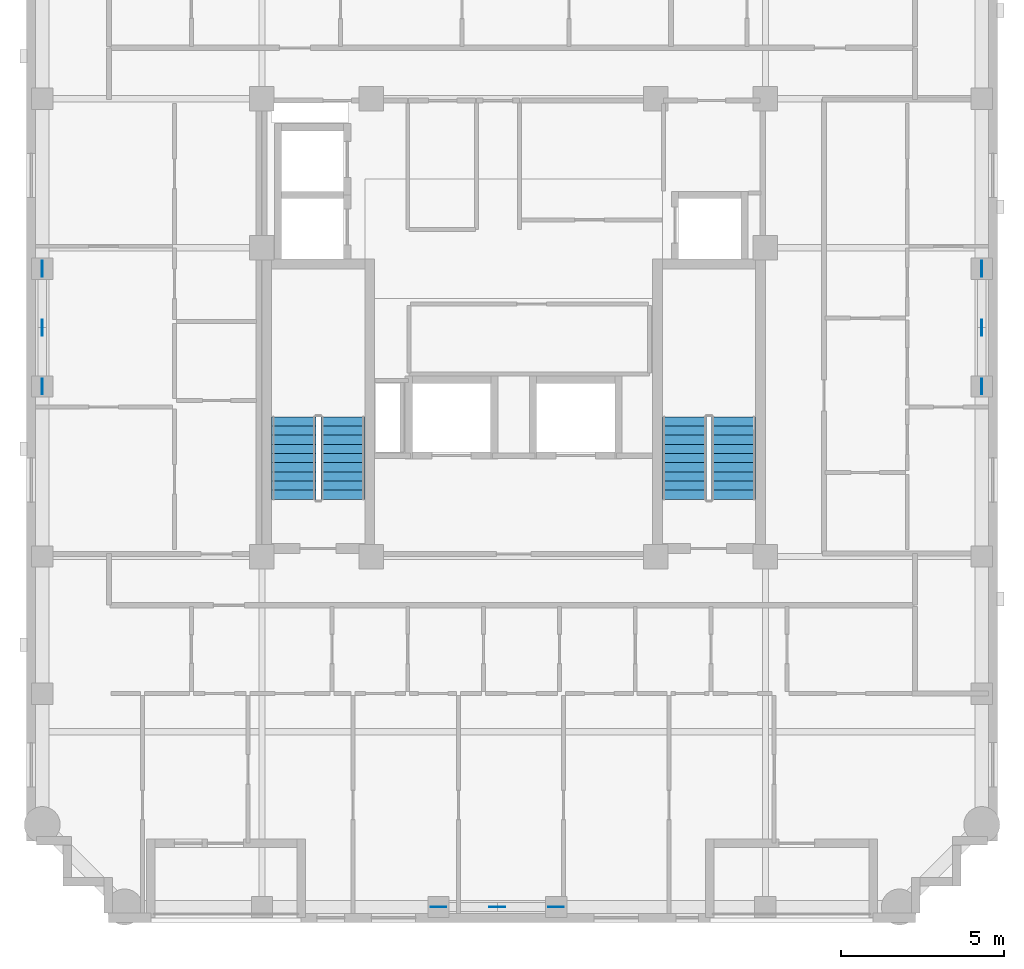
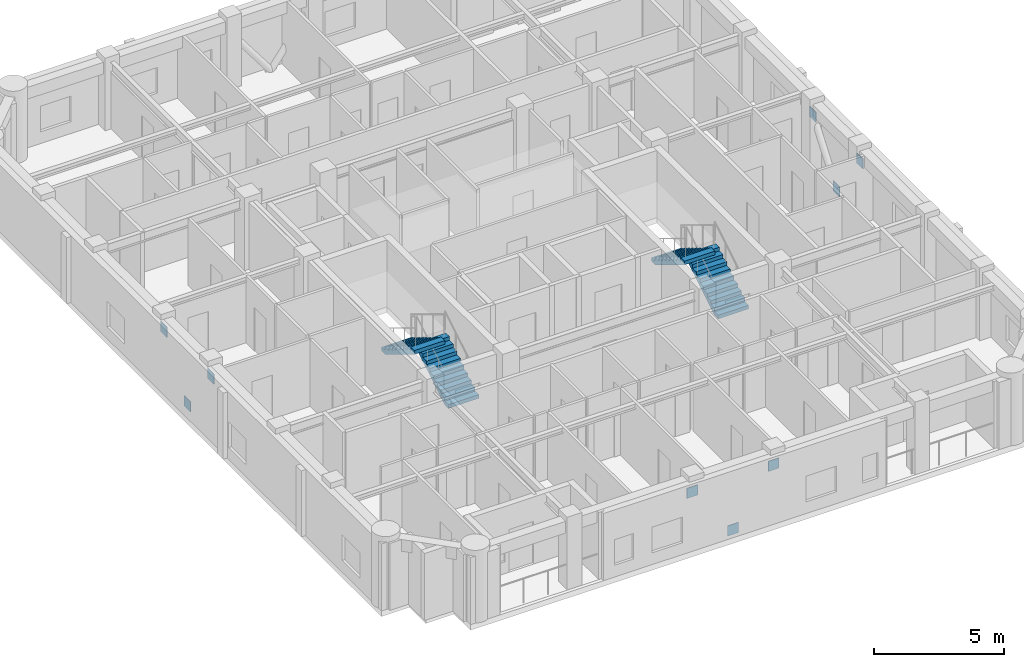
# One storey, part 8 of 11: 9 discrete accessories, 4 stair flights, 2 elements without a shape of their own.
"""IFC4 building model written with IfcOpenShell, lengths in metres."""

from ifc_helpers import new_model, si_unit, derived_unit, direction, frame, origin, origin_2d, place, context, subcontext, project, spatial, polyline, rectangle, outline, extrude, material, layer, layer_set, type_object, element, aggregate, save


model = new_model("IFC4")

# Units and contexts
model_context = context("Model", 3, precision=1e-05, world=origin(), true_north=direction((0.0, 1.0)))
body_context = subcontext(model_context, "Body", "Model", "MODEL_VIEW")
ifc_project = project(units=[si_unit("LENGTHUNIT", "METRE"), si_unit("AREAUNIT", "SQUARE_METRE"), si_unit("VOLUMEUNIT", "CUBIC_METRE"), si_unit("PLANEANGLEUNIT", "RADIAN"), si_unit("MASSUNIT", "GRAM", prefix="KILO"), derived_unit("THERMALTRANSMITTANCEUNIT", [(si_unit("MASSUNIT", "GRAM", prefix="KILO"), 1), (si_unit("TIMEUNIT", "SECOND"), -3), (si_unit("THERMODYNAMICTEMPERATUREUNIT", "KELVIN"), -1)])], contexts=[model_context])

# Site, building, storey
site_placement = place(None, origin())
site = spatial("IfcSite", under=ifc_project, at=site_placement, CompositionType="ELEMENT")
building_placement = place(site_placement, origin())
building = spatial("IfcBuilding", under=site, at=building_placement, Name="Korrvale Station Residences", CompositionType="ELEMENT")
storey_placement = place(building_placement, frame((0.0, 0.0, 224.10009765625)))
storey = spatial("IfcBuildingStorey", under=building, at=storey_placement, Name="L65", CompositionType="ELEMENT", Elevation=224.10009765625)

# Stair, stair flights
ifc_material_1 = material(Name="Concrete C50/60", Category="concrete")
stair_type = type_object("IfcStairType", Name="STR-DL-1350-20R-1700", PredefinedType="HALF_TURN_STAIR", material=ifc_material_1)
stair_1_placement = place(storey_placement, origin())
stair_1 = element("IfcStair", 1, at=stair_1_placement, inside=storey, type_object=stair_type, Name="L65 Exit Stair 1", PredefinedType="HALF_TURN_STAIR")
stair_flight_type = type_object("IfcStairFlightType", Name="FLT-DL-1350-20R-1700", PredefinedType="STRAIGHT", material=ifc_material_1)
stair_flight_1_placement = place(storey_placement, frame((20.27490234375, 16.75, 0.0), z_axis=(0.0, 0.0, 1.0), x_axis=(0.0, 1.0, 0.0)))
stair_flight_1 = element("IfcStairFlight", 2, at=stair_flight_1_placement, type_object=stair_flight_type, Name="ST-1 flight 1", NumberOfRisers=10, NumberOfTreads=9, PredefinedType="STRAIGHT", RiserHeight=0.17, TreadLength=0.28, context=body_context, shape_type="SweptSolid", body=[
    extrude(outline(polyline([(0.0, 0.0), (0.0, 0.169921875), (0.280029296875, 0.169921875), (0.280029296875, 0.340087890625), (0.56005859375, 0.340087890625), (0.56005859375, 0.510009765625), (0.840087890625, 0.510009765625), (0.840087890625, 0.679931640625), (1.1201171875, 0.679931640625), (1.1201171875, 0.85009765625), (1.39990234375, 0.85009765625), (1.39990234375, 1.02001953125), (1.679931640625, 1.02001953125), (1.679931640625, 1.18994140625), (1.9599609375, 1.18994140625), (1.9599609375, 1.360107421875), (2.239990234375, 1.360107421875), (2.239990234375, 1.530029296875), (2.52001953125, 1.530029296875), (2.52001953125, 1.699951171875), (2.52001953125, 1.354736328125), (0.288818359375, 0.0), (0.0, 0.0)])), frame((0.0, 0.675048828125, 0.0), z_axis=(0.0, -1.0, 0.0), x_axis=(1.0, 0.0, 0.0)), (0.0, 0.0, 1.0), 1.35009765625),
])
stair_flight_2_placement = place(storey_placement, frame((18.77490234375, 19.27001953125, 1.699951171875), z_axis=(0.0, 0.0, 1.0), x_axis=(0.0, -1.0, 0.0)))
stair_flight_2 = element("IfcStairFlight", 3, at=stair_flight_2_placement, type_object=stair_flight_type, Name="ST-1 flight 2", NumberOfRisers=10, NumberOfTreads=9, PredefinedType="STRAIGHT", RiserHeight=0.17, TreadLength=0.28, context=body_context, shape_type="SweptSolid", body=[
    extrude(outline(polyline([(0.0, 0.0), (0.0, 0.169921875), (0.280029296875, 0.169921875), (0.280029296875, 0.340087890625), (0.56005859375, 0.340087890625), (0.56005859375, 0.510009765625), (0.840087890625, 0.510009765625), (0.840087890625, 0.679931640625), (1.1201171875, 0.679931640625), (1.1201171875, 0.85009765625), (1.39990234375, 0.85009765625), (1.39990234375, 1.02001953125), (1.679931640625, 1.02001953125), (1.679931640625, 1.18994140625), (1.9599609375, 1.18994140625), (1.9599609375, 1.360107421875), (2.239990234375, 1.360107421875), (2.239990234375, 1.530029296875), (2.52001953125, 1.530029296875), (2.52001953125, 1.699951171875), (2.52001953125, 1.354736328125), (0.288818359375, 0.0), (0.0, 0.0)])), frame((0.0, 0.675048828125, 0.0), z_axis=(0.0, -1.0, 0.0), x_axis=(1.0, 0.0, 0.0)), (0.0, 0.0, 1.0), 1.35009765625),
])
aggregate(stair_1, [stair_flight_1, stair_flight_2])

stair_2_placement = place(storey_placement, origin())
stair_2 = element("IfcStair", 4, at=stair_2_placement, inside=storey, type_object=stair_type, Name="L65 Exit Stair 2", PredefinedType="HALF_TURN_STAIR")
stair_flight_3_placement = place(storey_placement, frame((32.22509765625, 16.75, 0.0), z_axis=(0.0, 0.0, 1.0), x_axis=(0.0, 1.0, 0.0)))
stair_flight_3 = element("IfcStairFlight", 5, at=stair_flight_3_placement, type_object=stair_flight_type, Name="ST-2 flight 1", NumberOfRisers=10, NumberOfTreads=9, PredefinedType="STRAIGHT", RiserHeight=0.17, TreadLength=0.28, context=body_context, shape_type="SweptSolid", body=[
    extrude(outline(polyline([(0.0, 0.0), (0.0, 0.169921875), (0.280029296875, 0.169921875), (0.280029296875, 0.340087890625), (0.56005859375, 0.340087890625), (0.56005859375, 0.510009765625), (0.840087890625, 0.510009765625), (0.840087890625, 0.679931640625), (1.1201171875, 0.679931640625), (1.1201171875, 0.85009765625), (1.39990234375, 0.85009765625), (1.39990234375, 1.02001953125), (1.679931640625, 1.02001953125), (1.679931640625, 1.18994140625), (1.9599609375, 1.18994140625), (1.9599609375, 1.360107421875), (2.239990234375, 1.360107421875), (2.239990234375, 1.530029296875), (2.52001953125, 1.530029296875), (2.52001953125, 1.699951171875), (2.52001953125, 1.354736328125), (0.288818359375, 0.0), (0.0, 0.0)])), frame((0.0, 0.675048828125, 0.0), z_axis=(0.0, -1.0, 0.0), x_axis=(1.0, 0.0, 0.0)), (0.0, 0.0, 1.0), 1.35009765625),
])
stair_flight_4_placement = place(storey_placement, frame((30.72509765625, 19.27001953125, 1.699951171875), z_axis=(0.0, 0.0, 1.0), x_axis=(0.0, -1.0, 0.0)))
stair_flight_4 = element("IfcStairFlight", 6, at=stair_flight_4_placement, type_object=stair_flight_type, Name="ST-2 flight 2", NumberOfRisers=10, NumberOfTreads=9, PredefinedType="STRAIGHT", RiserHeight=0.17, TreadLength=0.28, context=body_context, shape_type="SweptSolid", body=[
    extrude(outline(polyline([(0.0, 0.0), (0.0, 0.169921875), (0.280029296875, 0.169921875), (0.280029296875, 0.340087890625), (0.56005859375, 0.340087890625), (0.56005859375, 0.510009765625), (0.840087890625, 0.510009765625), (0.840087890625, 0.679931640625), (1.1201171875, 0.679931640625), (1.1201171875, 0.85009765625), (1.39990234375, 0.85009765625), (1.39990234375, 1.02001953125), (1.679931640625, 1.02001953125), (1.679931640625, 1.18994140625), (1.9599609375, 1.18994140625), (1.9599609375, 1.360107421875), (2.239990234375, 1.360107421875), (2.239990234375, 1.530029296875), (2.52001953125, 1.530029296875), (2.52001953125, 1.699951171875), (2.52001953125, 1.354736328125), (0.288818359375, 0.0), (0.0, 0.0)])), frame((0.0, 0.675048828125, 0.0), z_axis=(0.0, -1.0, 0.0), x_axis=(1.0, 0.0, 0.0)), (0.0, 0.0, 1.0), 1.35009765625),
])
aggregate(stair_2, [stair_flight_3, stair_flight_4])

# Discrete accessories
ifc_material_2 = material(Name="Steel S355", Category="steel")
ifc_layer = layer(ifc_material_2, 0.02490234375, Name="Steel S355")
ifc_layer_set = layer_set([ifc_layer], Name="Steel S355")
discrete_accessory_type = type_object("IfcDiscreteAccessoryType", Name="ACC-GUSSET-25", PredefinedType="BRACKET", material=ifc_layer_set)
for number, where, z_axis, x_axis, name in (
    (7, (25.0, 4.280029296875, -0.219970703125), (0.0, 0.0, 1.0), (1.0, 0.0, 0.0), "L65 S Brace End Gusset Connection M"),
    (8, (23.199951171875, 4.280029296875, 2.169921875), (0.0, 0.0, 1.0), (1.0, 0.0, 0.0), "L65 S Brace End Gusset Connection A"),
    (9, (26.800048828125, 4.280029296875, 2.169921875), (0.0, 0.0, 1.0), (1.0, 0.0, 0.0), "L65 S Brace End Gusset Connection B"),
    (10, (11.080078125, 22.0, -0.219970703125), (0.0, 0.0, 1.0), (0.0, 1.0, 0.0), "L65 W Brace End Gusset Connection M"),
    (11, (11.080078125, 20.199951171875, 2.169921875), (0.0, 0.0, 1.0), (0.0, 1.0, 0.0), "L65 W Brace End Gusset Connection A"),
    (12, (11.080078125, 23.800048828125, 2.169921875), (0.0, 0.0, 1.0), (0.0, 1.0, 0.0), "L65 W Brace End Gusset Connection B"),
    (13, (39.820068359375, 22.0, -0.219970703125), (0.0, 0.0, 1.0), (0.0, 1.0, 0.0), "L65 E Brace End Gusset Connection M"),
    (14, (39.820068359375, 20.199951171875, 2.169921875), (0.0, 0.0, 1.0), (0.0, 1.0, 0.0), "L65 E Brace End Gusset Connection A"),
    (15, (39.820068359375, 23.800048828125, 2.169921875), (0.0, 0.0, 1.0), (0.0, 1.0, 0.0), "L65 E Brace End Gusset Connection B"),
):
    element("IfcDiscreteAccessory", number, at=place(storey_placement, frame(where, z_axis=z_axis, x_axis=x_axis)), inside=storey, type_object=discrete_accessory_type, Name=name, PredefinedType="BRACKET", context=body_context, shape_type="SweptSolid", body=[
        extrude(rectangle(XDim=0.47998046875, YDim=0.02490234375, at=origin_2d()), origin(), (0.0, 0.0, 1.0), 0.47998046875),
    ])

save(model, "model.ifc")
